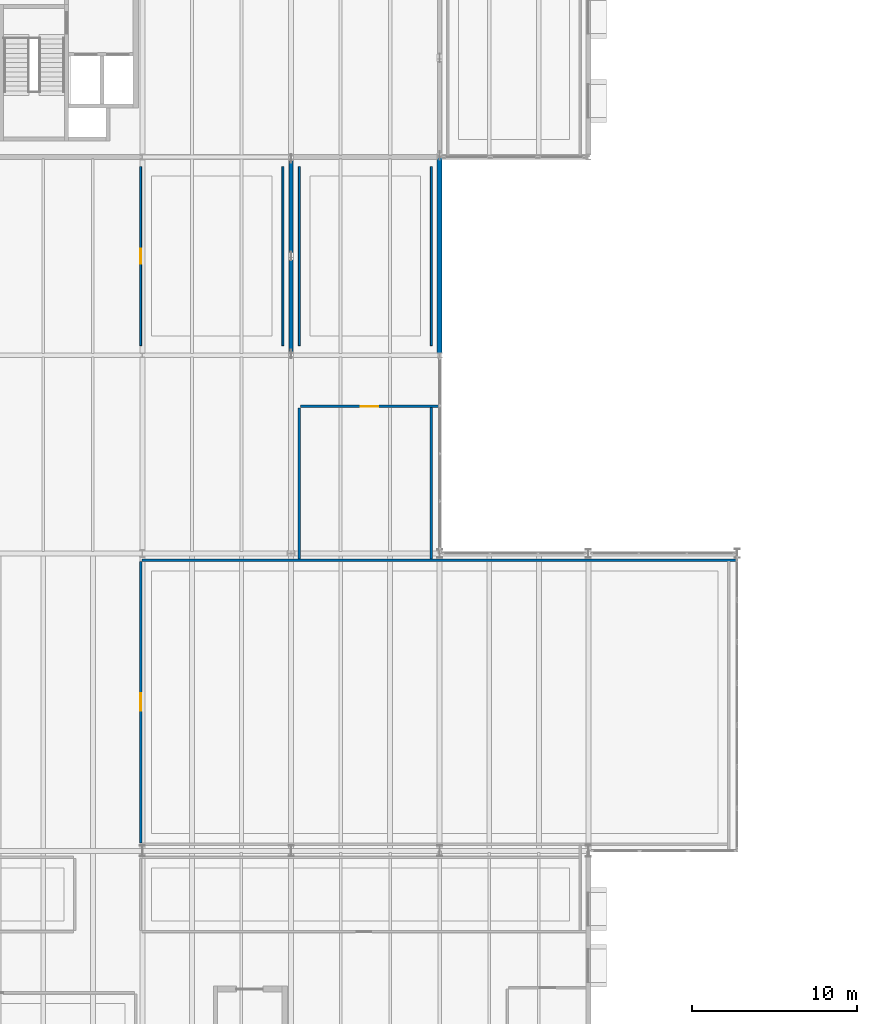
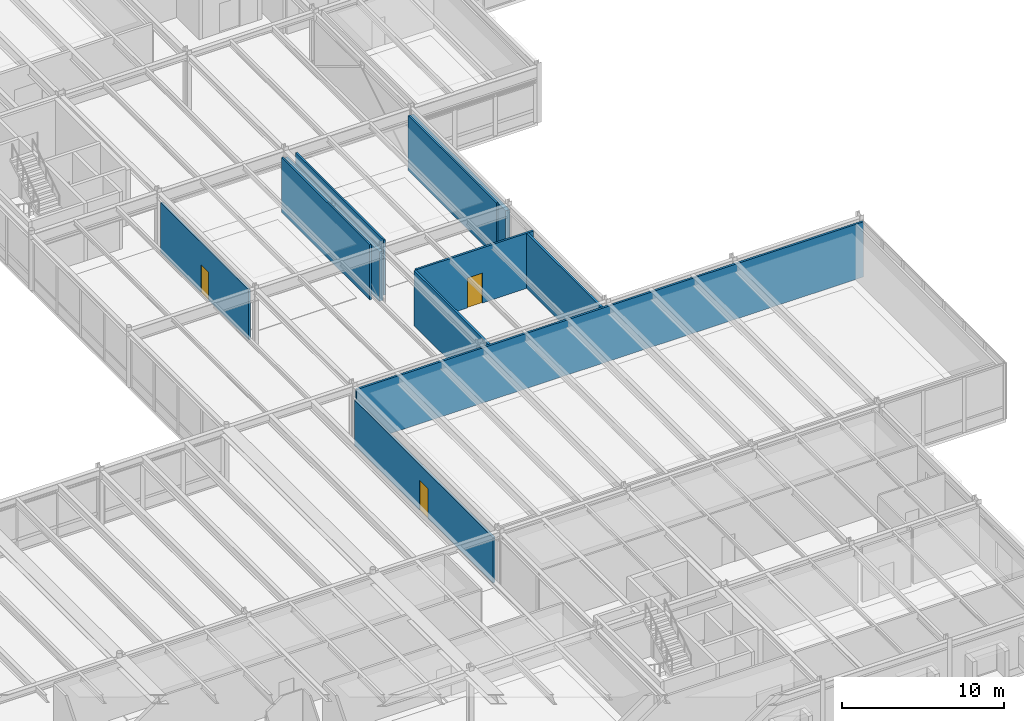
# One storey, part 112 of 127: 11 walls, 3 doors, 3 openings.
"""IFC4 building model written with IfcOpenShell, lengths in metres."""

from ifc_helpers import new_model, si_unit, direction, frame, frame_2d, origin, place, context, subcontext, project, spatial, rectangle, extrude, material, layer, layer_set, type_object, element, fill, save


model = new_model("IFC4")

# Units and contexts
model_context = context("Model", 3, precision=1e-05, world=origin(), true_north=direction((0.0, 1.0)))
body_context = subcontext(model_context, "Body", "Model", "MODEL_VIEW")
ifc_project = project(units=[si_unit("LENGTHUNIT", "METRE"), si_unit("AREAUNIT", "SQUARE_METRE"), si_unit("VOLUMEUNIT", "CUBIC_METRE"), si_unit("PLANEANGLEUNIT", "RADIAN"), si_unit("MASSUNIT", "GRAM", prefix="KILO")], contexts=[model_context])

# Site, building, storey
site_placement = place(None, origin())
site = spatial("IfcSite", under=ifc_project, at=site_placement, CompositionType="ELEMENT")
building_placement = place(site_placement, origin())
building = spatial("IfcBuilding", under=site, at=building_placement, Name="Montelvaro Courts of Justice", CompositionType="ELEMENT")
storey_placement = place(building_placement, frame((0.0, 0.0, 5.39990234375)))
storey = spatial("IfcBuildingStorey", under=building, at=storey_placement, Name="L01", CompositionType="ELEMENT", Elevation=5.39990234375)

# Wall
ifc_material_1 = material(Name="Gypsum board on metal stud")
ifc_layer_1 = layer(ifc_material_1, 0.14990234375)
ifc_layer_set_1 = layer_set([ifc_layer_1], Name="Gypsum board on metal stud")
wall_type_1 = type_object("IfcWallType", Name="ChambersPartition_150", PredefinedType="PARTITIONING", material=ifc_layer_set_1)
wall_1_placement = place(storey_placement, frame((107.97998046875, 41.60009765625, 0.0), z_axis=(0.0, 0.0, 1.0), x_axis=(1.0, 0.0, 0.0)))
element("IfcWall", 1, at=wall_1_placement, inside=storey, type_object=wall_type_1, Name="Interior Partition IW-04 (L01)", PredefinedType="PARTITIONING", context=body_context, shape_type="SweptSolid", body=[
    extrude(rectangle(XDim=36.011962890625, YDim=0.14990234375, at=frame_2d((18.005859375, 0.0))), origin(), (0.0, 0.0, 1.0), 4.14013671875),
])

# Wall, opening, door
wall_2_placement = place(storey_placement, frame((107.89990234375, 24.47998046875, 0.0), z_axis=(0.0, 0.0, 1.0), x_axis=(0.0, 1.0, 0.0)))
wall_2 = element("IfcWall", 2, at=wall_2_placement, inside=storey, type_object=wall_type_1, Name="Interior Partition IW-04 (L01)", PredefinedType="PARTITIONING", context=body_context, shape_type="SweptSolid", body=[
    extrude(rectangle(XDim=17.0400390625, YDim=0.14990234375, at=frame_2d((8.52001953125, 0.0))), origin(), (0.0, 0.0, 1.0), 3.4150390625),
])
opening_1_placement = place(wall_2_placement, frame((7.9951171875, 0.0, 0.0)))
opening_1 = element("IfcOpeningElement", 3, at=opening_1_placement, cuts=wall_2, Name="Opening D-L01-066", PredefinedType="OPENING", context=body_context, shape_type="SweptSolid", body=[
    extrude(rectangle(XDim=1.050048828125, YDim=2.25, at=frame_2d((0.52490234375, 1.125))), frame((0.0, 0.08984375, 0.0), z_axis=(0.0, -1.0, 0.0), x_axis=(1.0, 0.0, 0.0)), (0.0, 0.0, 1.0), 0.1796875),
])
ifc_material_2 = material(Name="Acoustic oak timber veneer", Category="wood")
door_type_1 = type_object("IfcDoorType", Name="ChamberDoor_105x225", OperationType="NOTDEFINED", PredefinedType="DOOR", material=ifc_material_2)
door_1_placement = place(opening_1_placement, origin())
door_1 = element("IfcDoor", 4, at=door_1_placement, inside=storey, type_object=door_type_1, Name="Interior Door D-L01-066 (Civil Registry Records Office L01)", OperationType="SINGLE_SWING_LEFT", OverallHeight=2.25, OverallWidth=1.050048828125, PredefinedType="DOOR", context=body_context, shape_type="SweptSolid", body=[
    extrude(rectangle(XDim=1.050048828125, YDim=2.25, at=frame_2d((0.52490234375, 1.125))), frame((0.0, 0.02490234375, 0.0), z_axis=(0.0, -1.0, 0.0), x_axis=(1.0, 0.0, 0.0)), (0.0, 0.0, 1.0), 0.050048828125),
])
fill(opening_1, door_1)

# Wall
wall_3_placement = place(storey_placement, frame((117.5, 41.669921875, 0.0), z_axis=(0.0, 0.0, 1.0), x_axis=(0.0, 1.0, 0.0)))
element("IfcWall", 5, at=wall_3_placement, inside=storey, type_object=wall_type_1, Name="Interior Partition IW-04 (L01)", PredefinedType="PARTITIONING", context=body_context, shape_type="SweptSolid", body=[
    extrude(rectangle(XDim=9.150146484375, YDim=0.14990234375, at=frame_2d((4.5751953125, 0.0))), origin(), (0.0, 0.0, 1.0), 4.14013671875),
])

# Wall, opening, door
wall_4_placement = place(storey_placement, frame((117.580078125, 50.89990234375, 0.0), z_axis=(0.0, 0.0, 1.0), x_axis=(1.0, 0.0, 0.0)))
wall_4 = element("IfcWall", 6, at=wall_4_placement, inside=storey, type_object=wall_type_1, Name="Interior Partition IW-04 (L01)", PredefinedType="PARTITIONING", context=body_context, shape_type="SweptSolid", body=[
    extrude(rectangle(XDim=8.344970703125, YDim=0.14990234375, at=frame_2d((4.17236328125, 0.0))), origin(), (0.0, 0.0, 1.0), 4.14013671875),
])
opening_2_placement = place(wall_4_placement, frame((3.64697265625, 0.0, 0.0)))
opening_2 = element("IfcOpeningElement", 7, at=opening_2_placement, cuts=wall_4, Name="Opening D-L01-068", PredefinedType="OPENING", context=body_context, shape_type="SweptSolid", body=[
    extrude(rectangle(XDim=1.050048828125, YDim=2.25, at=frame_2d((0.52490234375, 1.125))), frame((0.0, 0.08984375, 0.0), z_axis=(0.0, -1.0, 0.0), x_axis=(1.0, 0.0, 0.0)), (0.0, 0.0, 1.0), 0.1796875),
])
door_2_placement = place(opening_2_placement, origin())
door_2 = element("IfcDoor", 8, at=door_2_placement, inside=storey, type_object=door_type_1, Name="Interior Door D-L01-068 (Family Conciliation Room L01)", OperationType="SINGLE_SWING_LEFT", OverallHeight=2.25, OverallWidth=1.050048828125, PredefinedType="DOOR", context=body_context, shape_type="SweptSolid", body=[
    extrude(rectangle(XDim=1.050048828125, YDim=2.25, at=frame_2d((0.52490234375, 1.125))), frame((0.0, 0.02490234375, 0.0), z_axis=(0.0, -1.0, 0.0), x_axis=(1.0, 0.0, 0.0)), (0.0, 0.0, 1.0), 0.050048828125),
])
fill(opening_2, door_2)

# Walls
wall_5_placement = place(storey_placement, frame((125.5, 50.830078125, 0.0), z_axis=(0.0, 0.0, 1.0), x_axis=(0.0, -1.0, 0.0)))
element("IfcWall", 9, at=wall_5_placement, inside=storey, type_object=wall_type_1, Name="Interior Partition IW-04 (L01)", PredefinedType="PARTITIONING", context=body_context, shape_type="SweptSolid", body=[
    extrude(rectangle(XDim=9.16015625, YDim=0.14990234375, at=frame_2d((4.580078125, 0.0))), origin(), (0.0, 0.0, 1.0), 4.14013671875),
])
ifc_material_3 = material(Name="White mineral precast concrete C45/55", Category="concrete")
ifc_layer_2 = layer(ifc_material_3, 0.300048828125)
ifc_layer_set_2 = layer_set([ifc_layer_2], Name="White mineral precast concrete C45/55")
wall_type_2 = type_object("IfcWallType", Name="ExtWall_GFRC_300", PredefinedType="SOLIDWALL", material=ifc_layer_set_2)
wall_6_placement = place(storey_placement, frame((126.0, 54.14794921875, 0.0), z_axis=(0.0, 0.0, 1.0), x_axis=(0.0, 1.0, 0.0)))
element("IfcWall", 10, at=wall_6_placement, inside=storey, type_object=wall_type_2, Name="Exterior Facade Wall EW-02 (L01)", PredefinedType="SOLIDWALL", context=body_context, shape_type="SweptSolid", body=[
    extrude(rectangle(XDim=11.843994140625, YDim=0.300048828125, at=frame_2d((5.921875, 0.0))), origin(), (0.0, 0.0, 1.0), 3.6650390625),
])

# Wall, opening, door
ifc_layer_3 = layer(ifc_material_1, 0.1201171875)
ifc_layer_set_3 = layer_set([ifc_layer_3], Name="Gypsum board on metal stud")
wall_type_3 = type_object("IfcWallType", Name="OfficePartition_120", PredefinedType="PARTITIONING", material=ifc_layer_set_3)
wall_7_placement = place(storey_placement, frame((107.89990234375, 54.580078125, 0.0), z_axis=(0.0, 0.0, 1.0), x_axis=(0.0, 1.0, 0.0)))
wall_7 = element("IfcWall", 11, at=wall_7_placement, inside=storey, type_object=wall_type_3, Name="Interior Partition IW-05 (L01)", PredefinedType="PARTITIONING", context=body_context, shape_type="SweptSolid", body=[
    extrude(rectangle(XDim=10.83984375, YDim=0.1201171875, at=frame_2d((5.419921875, 0.0))), origin(), (0.0, 0.0, 1.0), 3.775146484375),
])
opening_3_placement = place(wall_7_placement, frame((4.969970703125, 0.0, 0.0)))
opening_3 = element("IfcOpeningElement", 12, at=opening_3_placement, cuts=wall_7, Name="Opening D-L01-067", PredefinedType="OPENING", context=body_context, shape_type="SweptSolid", body=[
    extrude(rectangle(XDim=0.89990234375, YDim=2.10009765625, at=frame_2d((0.449951171875, 1.050048828125))), frame((0.0, 0.074951171875, 0.0), z_axis=(0.0, -1.0, 0.0), x_axis=(1.0, 0.0, 0.0)), (0.0, 0.0, 1.0), 0.14990234375),
])
door_type_2 = type_object("IfcDoorType", Name="OfficeDoor_090x210", OperationType="NOTDEFINED", PredefinedType="DOOR", material=ifc_material_2)
door_3_placement = place(opening_3_placement, frame((0.89990234375, 0.0, 0.0), z_axis=(0.0, 0.0, 1.0), x_axis=(-1.0, 0.0, 0.0)))
door_3 = element("IfcDoor", 13, at=door_3_placement, inside=storey, type_object=door_type_2, Name="Interior Door D-L01-067 (Victim Support and Mediation Suite L01)", OperationType="SINGLE_SWING_RIGHT", OverallHeight=2.10009765625, OverallWidth=0.89990234375, PredefinedType="DOOR", context=body_context, shape_type="SweptSolid", body=[
    extrude(rectangle(XDim=0.89990234375, YDim=2.10009765625, at=frame_2d((0.449951171875, 1.050048828125))), frame((0.0, 0.02490234375, 0.0), z_axis=(0.0, -1.0, 0.0), x_axis=(1.0, 0.0, 0.0)), (0.0, 0.0, 1.0), 0.050048828125),
])
fill(opening_3, door_3)

# Walls
for number, where, z_axis, x_axis, name in (
    (14, (116.5, 65.419921875, 0.0), (0.0, 0.0, 1.0), (0.0, -1.0, 0.0), "Interior Partition IW-05 (L01)"),
    (15, (117.5, 54.580078125, 0.0), (0.0, 0.0, 1.0), (0.0, 1.0, 0.0), "Interior Partition IW-05 (L01)"),
    (16, (125.5, 65.419921875, 0.0), (0.0, 0.0, 1.0), (0.0, -1.0, 0.0), "Interior Partition IW-05 (L01)"),
):
    element("IfcWall", number, at=place(storey_placement, frame(where, z_axis=z_axis, x_axis=x_axis)), inside=storey, type_object=wall_type_3, Name=name, PredefinedType="PARTITIONING", context=body_context, shape_type="SweptSolid", body=[
        extrude(rectangle(XDim=10.83984375, YDim=0.1201171875, at=frame_2d((5.419921875, 0.0))), origin(), (0.0, 0.0, 1.0), 4.14013671875),
    ])
ifc_material_4 = material(Name="Concrete C35/45", Category="concrete")
ifc_layer_4 = layer(ifc_material_4, 0.239990234375)
ifc_layer_set_4 = layer_set([ifc_layer_4], Name="Concrete C35/45")
wall_type_4 = type_object("IfcWallType", Name="ShaftWall_240", PredefinedType="SHEAR", material=ifc_layer_set_4)
wall_8_placement = place(storey_placement, frame((117.0, 54.137939453125, 0.0), z_axis=(0.0, 0.0, 1.0), x_axis=(0.0, 1.0, 0.0)))
element("IfcWall", 17, at=wall_8_placement, inside=storey, type_object=wall_type_4, Name="Enclosed Braced Frame Structural Wall CBF4 (L01)", PredefinedType="SHEAR", context=body_context, shape_type="SweptSolid", body=[
    extrude(rectangle(XDim=11.694091796875, YDim=0.239990234375, at=frame_2d((5.84716796875, 0.0))), origin(), (0.0, 0.0, 1.0), 3.72509765625),
])

save(model, "model.ifc")
